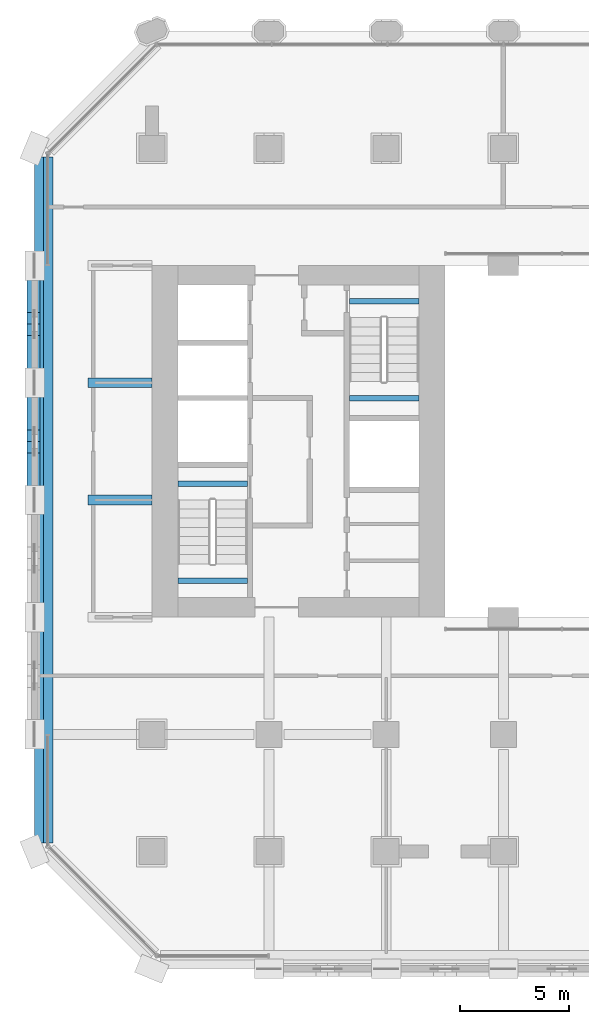
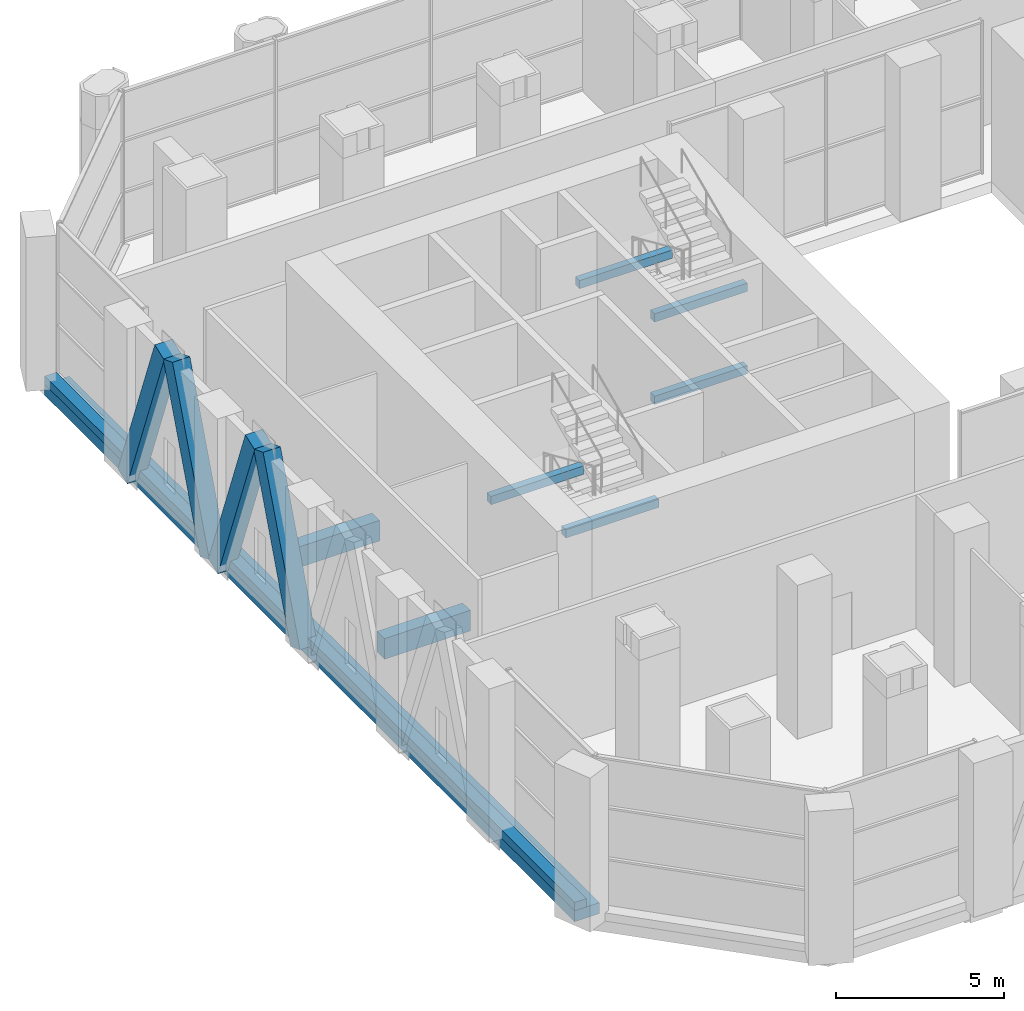
# One storey, part 5 of 34: 9 beams, 4 members.
"""IFC4 building model written with IfcOpenShell, lengths in metres."""

from ifc_helpers import new_model, si_unit, direction, frame, origin, origin_2d, place, context, subcontext, project, spatial, rectangle, extrude, material, material_profile, profile_set, type_object, element, save


model = new_model("IFC4")

# Units and contexts
model_context = context("Model", 3, precision=1e-05, world=origin(), true_north=direction((0.0, 1.0)))
body_context = subcontext(model_context, "Body", "Model", "MODEL_VIEW")
ifc_project = project(units=[si_unit("LENGTHUNIT", "METRE"), si_unit("AREAUNIT", "SQUARE_METRE"), si_unit("VOLUMEUNIT", "CUBIC_METRE"), si_unit("PLANEANGLEUNIT", "RADIAN"), si_unit("MASSUNIT", "GRAM", prefix="KILO")], contexts=[model_context])

# Site, building, storey
site_placement = place(None, origin())
site = spatial("IfcSite", under=ifc_project, at=site_placement, CompositionType="ELEMENT")
building_placement = place(site_placement, origin())
building = spatial("IfcBuilding", under=site, at=building_placement, Name="Tabaq Tower and Sports Hall", CompositionType="ELEMENT")
storey_placement = place(building_placement, frame((0.0, 0.0, 8.39990234375)))
storey = spatial("IfcBuildingStorey", under=building, at=storey_placement, Name="L01", CompositionType="ELEMENT", Elevation=8.39990234375)

# Beams
ifc_material_1 = material(Name="Concrete C40/50", Category="concrete")
ifc_material_profile_1 = material_profile(ifc_material_1, rectangle(XDim=0.449951171875, YDim=0.75, at=origin_2d()), Name="CB 450x750")
ifc_profile_set_1 = profile_set([ifc_material_profile_1], Name="Concrete C40/50")
beam_type_1 = type_object("IfcBeamType", Name="PT CANTILEVER BEAM CB 450x750 C40/50", PredefinedType="BEAM", material=ifc_profile_set_1)
for number, where, z_axis, x_axis, name in (
    (1, (2.449951171875, 21.60009765625, -0.77490234375), (1.0, 0.0, 0.0), (0.0, 1.0, 0.0), "Cantilever Beam L01 W4 span 1"),
    (2, (2.449951171875, 27.0, -0.77490234375), (1.0, 0.0, 0.0), (0.0, 1.0, 0.0), "Cantilever Beam L01 W5 span 1"),
):
    element("IfcBeam", number, at=place(storey_placement, frame(where, z_axis=z_axis, x_axis=x_axis)), inside=storey, type_object=beam_type_1, Name=name, PredefinedType="BEAM", context=body_context, shape_type="SweptSolid", body=[
        extrude(rectangle(XDim=0.449951171875, YDim=0.75, at=origin_2d()), origin(), (0.0, 0.0, 1.0), 2.949951171875),
    ])
ifc_material_2 = material(Name="Concrete C40/50", Category="concrete")
ifc_material_profile_2 = material_profile(ifc_material_2, rectangle(XDim=0.85009765625, YDim=0.39990234375, at=origin_2d()), Name="EB 850x400")
ifc_profile_set_2 = profile_set([ifc_material_profile_2], Name="Concrete C40/50")
beam_type_2 = type_object("IfcBeamType", Name="PT EDGE BEAM EB 850x400 C40/50", PredefinedType="SPANDREL", material=ifc_profile_set_2)
beam_1_placement = place(storey_placement, frame((0.425048828125, 37.39794921875, -0.199951171875), z_axis=(0.0, -1.0, 0.0), x_axis=(1.0, 0.0, 0.0)))
element("IfcBeam", 3, at=beam_1_placement, inside=storey, type_object=beam_type_2, Name="Edge Beam L01 4", PredefinedType="SPANDREL", context=body_context, shape_type="SweptSolid", body=[
    extrude(rectangle(XDim=0.85009765625, YDim=0.39990234375, at=origin_2d()), origin(), (0.0, 0.0, 1.0), 31.595947265625),
])
ifc_material_3 = material(Name="Concrete C40/50", Category="concrete")
ifc_material_profile_3 = material_profile(ifc_material_3, rectangle(XDim=0.39990234375, YDim=0.300048828125, at=origin_2d()), Name="EU 400x300")
ifc_profile_set_3 = profile_set([ifc_material_profile_3], Name="Concrete C40/50")
beam_type_3 = type_object("IfcBeamType", Name="PT EDGE UPSTAND EU 400x300 C40/50", PredefinedType="BEAM", material=ifc_profile_set_3)
beam_2_placement = place(storey_placement, frame((0.199951171875, 37.39794921875, 0.150146484375), z_axis=(0.0, -1.0, 0.0), x_axis=(1.0, 0.0, 0.0)))
element("IfcBeam", 4, at=beam_2_placement, inside=storey, type_object=beam_type_3, Name="Edge Upstand L01 4", PredefinedType="BEAM", context=body_context, shape_type="SweptSolid", body=[
    extrude(rectangle(XDim=0.39990234375, YDim=0.300048828125, at=origin_2d()), origin(), (0.0, 0.0, 1.0), 31.595947265625),
])

# Members
ifc_material_4 = material(Name="Concrete C60/75", Category="concrete")
ifc_material_profile_4 = material_profile(ifc_material_4, rectangle(XDim=0.60009765625, YDim=0.60009765625, at=origin_2d()), Name="TRANSFER BAND BRACE 600x600")
ifc_profile_set_4 = profile_set([ifc_material_profile_4], Name="Concrete C60/75")
member_type = type_object("IfcMemberType", Name="RC TRANSFER BAND BRACE 600x600 C60/75", PredefinedType="BRACE", material=ifc_profile_set_4)
for number, where, z_axis, x_axis, name in (
    (5, (-0.050048828125, 21.85009765625, -0.0498046875), (0.0, 0.352000877522, 0.935999669991), (-1.0, 0.0, 0.0), "Transfer Band Brace L01 West 13"),
    (6, (-0.050048828125, 26.75, -0.0498046875), (0.0, -0.352000877522, 0.935999669991), (1.0, 0.0, 0.0), "Transfer Band Brace L01 West 14"),
    (7, (-0.050048828125, 27.25, -0.0498046875), (0.0, 0.352000877522, 0.935999669991), (-1.0, 0.0, 0.0), "Transfer Band Brace L01 West 15"),
    (8, (-0.050048828125, 32.14990234375, -0.0498046875), (0.0, -0.352000877522, 0.935999669991), (1.0, 0.0, 0.0), "Transfer Band Brace L01 West 16"),
):
    element("IfcMember", number, at=place(storey_placement, frame(where, z_axis=z_axis, x_axis=x_axis)), inside=storey, type_object=member_type, Name=name, PredefinedType="BRACE", context=body_context, shape_type="SweptSolid", body=[
        extrude(rectangle(XDim=0.60009765625, YDim=0.60009765625, at=origin_2d()), origin(), (0.0, 0.0, 1.0), 6.249755859375),
    ])

# Beams
ifc_material_5 = material(Name="Concrete C40/50", Category="concrete")
ifc_material_profile_5 = material_profile(ifc_material_5, rectangle(XDim=0.25, YDim=0.300048828125, at=origin_2d()), Name="RC 250x300")
ifc_profile_set_5 = profile_set([ifc_material_profile_5], Name="Concrete C40/50")
beam_type_4 = type_object("IfcBeamType", Name="Stair landing beam 250x300", PredefinedType="BEAM", material=ifc_profile_set_5)
for number, where, z_axis, x_axis, name in (
    (9, (6.60009765625, 22.35009765625, 2.650146484375), (1.0, 0.0, 0.0), (0.0, 1.0, 0.0), "L01 ST1 landing beam 2"),
    (10, (6.60009765625, 17.8798828125, 4.150146484375), (1.0, 0.0, 0.0), (0.0, 1.0, 0.0), "L01 ST1 landing beam 3"),
    (11, (14.5, 26.280029296875, 1.150146484375), (1.0, 0.0, 0.0), (0.0, 1.0, 0.0), "L01 ST2 landing beam 1"),
    (12, (14.5, 30.75, 2.650146484375), (1.0, 0.0, 0.0), (0.0, 1.0, 0.0), "L01 ST2 landing beam 2"),
    (13, (14.5, 26.280029296875, 4.150146484375), (1.0, 0.0, 0.0), (0.0, 1.0, 0.0), "L01 ST2 landing beam 3"),
):
    element("IfcBeam", number, at=place(storey_placement, frame(where, z_axis=z_axis, x_axis=x_axis)), inside=storey, type_object=beam_type_4, Name=name, PredefinedType="BEAM", context=body_context, shape_type="SweptSolid", body=[
        extrude(rectangle(XDim=0.25, YDim=0.300048828125, at=origin_2d()), origin(), (0.0, 0.0, 1.0), 3.199951171875),
    ])

save(model, "model.ifc")
